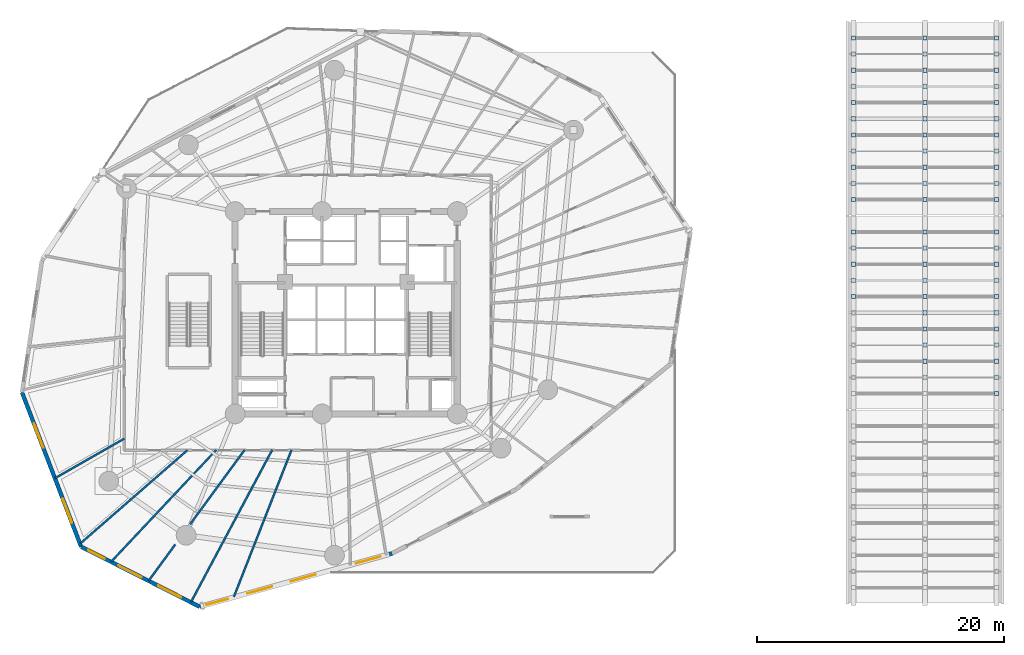
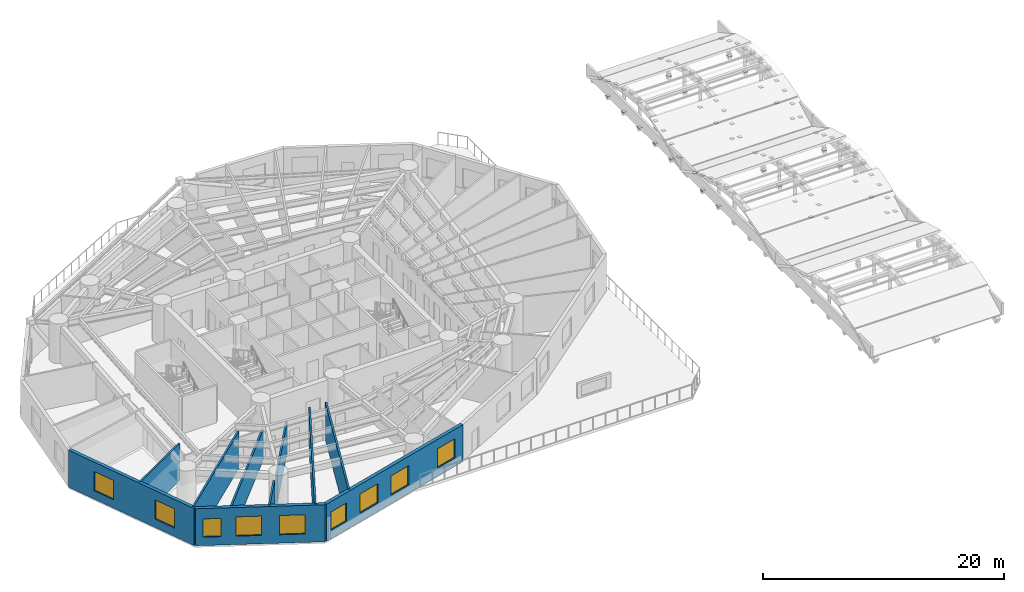
# One storey, part 6 of 16: 85 plates, 10 walls, 9 windows, 9 openings.
"""IFC4 building model written with IfcOpenShell, lengths in metres."""

from ifc_helpers import new_model, si_unit, direction, frame, frame_2d, origin, origin_with_axes, origin_2d, place, context, subcontext, project, spatial, rectangle, extrude, source, transform, mapped, material, layer, layer_set, type_object, element, fill, save


model = new_model("IFC4")

# Units and contexts
model_context = context("Model", 3, precision=1e-05, world=origin(), true_north=direction((0.0, 1.0)))
body_context = subcontext(model_context, "Body", "Model", "MODEL_VIEW")
ifc_project = project(units=[si_unit("LENGTHUNIT", "METRE"), si_unit("AREAUNIT", "SQUARE_METRE"), si_unit("VOLUMEUNIT", "CUBIC_METRE"), si_unit("PLANEANGLEUNIT", "RADIAN"), si_unit("MASSUNIT", "GRAM", prefix="KILO")], contexts=[model_context])

# Site, building, storey
site_placement = place(None, origin())
site = spatial("IfcSite", under=ifc_project, at=site_placement, CompositionType="ELEMENT")
building_placement = place(site_placement, origin())
building = spatial("IfcBuilding", under=site, at=building_placement, Name="Karkom Vertical University and Central Library", CompositionType="ELEMENT")
storey_placement = place(building_placement, frame((0.0, 0.0, 22.5)))
storey = spatial("IfcBuildingStorey", under=building, at=storey_placement, Name="L05", CompositionType="ELEMENT", Elevation=22.5)

# Plates
ifc_material_1 = material(Name="Steel S355", Category="steel")
ifc_layer_1 = layer(ifc_material_1, 0.02001953125)
ifc_layer_set_1 = layer_set([ifc_layer_1], Name="Steel S355")
plate_type = type_object("IfcPlateType", Name="STR-PLT-GP-3", PredefinedType="USERDEFINED", material=ifc_layer_set_1)
shared_shape_1 = source(origin_with_axes(), body_context, "Body", "SweptSolid", [
    extrude(rectangle(XDim=0.340087890625, YDim=0.340087890625, at=origin_2d()), origin(), (0.0, 0.0, 1.0), 0.02001953125),
])
for number, where, z_axis, x_axis, name in (
    (1, (81.199951171875, 19.949951171875, 0.29248046875), (0.0, 0.0, 1.0), (1.0, 0.0, 0.0), "Level 05 Node Gusset Cap Plate Level 05-LIB-VAULT2-PURLIN-1-2 B"),
    (2, (75.39990234375, 22.570068359375, 1.385009765625), (0.0, 0.0, 1.0), (1.0, 0.0, 0.0), "Level 05 Node Gusset Cap Plate Level 05-LIB-VAULT2-PURLIN-2-1 B"),
    (3, (81.199951171875, 22.570068359375, 1.385009765625), (0.0, 0.0, 1.0), (1.0, 0.0, 0.0), "Level 05 Node Gusset Cap Plate Level 05-LIB-VAULT2-PURLIN-2-2 B"),
    (4, (75.39990234375, 25.18994140625, 1.906005859375), (0.0, 0.0, 1.0), (1.0, 0.0, 0.0), "Level 05 Node Gusset Cap Plate Level 05-LIB-VAULT2-PURLIN-3-1 B"),
    (5, (81.199951171875, 25.18994140625, 1.906005859375), (0.0, 0.0, 1.0), (1.0, 0.0, 0.0), "Level 05 Node Gusset Cap Plate Level 05-LIB-VAULT2-PURLIN-3-2 B"),
    (6, (69.60009765625, 27.81005859375, 1.906005859375), (0.0, 0.0, 1.0), (1.0, 0.0, 0.0), "Level 05 Node Gusset Cap Plate Level 05-LIB-VAULT2-PURLIN-4-1 A"),
    (7, (75.39990234375, 27.81005859375, 1.906005859375), (0.0, 0.0, 1.0), (1.0, 0.0, 0.0), "Level 05 Node Gusset Cap Plate Level 05-LIB-VAULT2-PURLIN-4-1 B"),
    (8, (81.199951171875, 27.81005859375, 1.906005859375), (0.0, 0.0, 1.0), (1.0, 0.0, 0.0), "Level 05 Node Gusset Cap Plate Level 05-LIB-VAULT2-PURLIN-4-2 B"),
    (9, (69.60009765625, 30.429931640625, 1.385009765625), (0.0, 0.0, 1.0), (1.0, 0.0, 0.0), "Level 05 Node Gusset Cap Plate Level 05-LIB-VAULT2-PURLIN-5-1 A"),
    (10, (75.39990234375, 30.429931640625, 1.385009765625), (0.0, 0.0, 1.0), (1.0, 0.0, 0.0), "Level 05 Node Gusset Cap Plate Level 05-LIB-VAULT2-PURLIN-5-1 B"),
    (11, (81.199951171875, 30.429931640625, 1.385009765625), (0.0, 0.0, 1.0), (1.0, 0.0, 0.0), "Level 05 Node Gusset Cap Plate Level 05-LIB-VAULT2-PURLIN-5-2 B"),
    (12, (69.60009765625, 33.050048828125, 0.29248046875), (0.0, 0.0, 1.0), (1.0, 0.0, 0.0), "Level 05 Node Gusset Cap Plate Level 05-LIB-VAULT2-PURLIN-6-1 A"),
    (13, (75.39990234375, 33.050048828125, 0.29248046875), (0.0, 0.0, 1.0), (1.0, 0.0, 0.0), "Level 05 Node Gusset Cap Plate Level 05-LIB-VAULT2-PURLIN-6-1 B"),
    (14, (81.199951171875, 33.050048828125, 0.29248046875), (0.0, 0.0, 1.0), (1.0, 0.0, 0.0), "Level 05 Node Gusset Cap Plate Level 05-LIB-VAULT2-PURLIN-6-2 B"),
    (15, (69.60009765625, 29.1201171875, -0.659912109375), (0.0, 0.0, 1.0), (1.0, 0.0, 0.0), "Level 05 Node Gusset Cap Plate Level 05-LIB-VAULT2-POST-1-4 A"),
    (16, (69.60009765625, 29.1201171875, 1.594482421875), (0.0, 0.0, 1.0), (1.0, 0.0, 0.0), "Level 05 Node Gusset Cap Plate Level 05-LIB-VAULT2-POST-1-4 B"),
    (17, (69.60009765625, 31.739990234375, -0.659912109375), (0.0, 0.0, 1.0), (1.0, 0.0, 0.0), "Level 05 Node Gusset Cap Plate Level 05-LIB-VAULT2-POST-1-5 A"),
    (18, (69.60009765625, 31.739990234375, 0.843017578125), (0.0, 0.0, 1.0), (1.0, 0.0, 0.0), "Level 05 Node Gusset Cap Plate Level 05-LIB-VAULT2-POST-1-5 B"),
    (19, (75.39990234375, 21.260009765625, 0.843017578125), (0.0, 0.0, 1.0), (1.0, 0.0, 0.0), "Level 05 Node Gusset Cap Plate Level 05-LIB-VAULT2-POST-2-1 B"),
    (20, (75.39990234375, 23.8798828125, -0.659912109375), (0.0, 0.0, 1.0), (1.0, 0.0, 0.0), "Level 05 Node Gusset Cap Plate Level 05-LIB-VAULT2-POST-2-2 A"),
    (21, (75.39990234375, 23.8798828125, 1.594482421875), (0.0, 0.0, 1.0), (1.0, 0.0, 0.0), "Level 05 Node Gusset Cap Plate Level 05-LIB-VAULT2-POST-2-2 B"),
    (22, (75.39990234375, 26.5, -0.659912109375), (0.0, 0.0, 1.0), (1.0, 0.0, 0.0), "Level 05 Node Gusset Cap Plate Level 05-LIB-VAULT2-POST-2-3 A"),
    (23, (75.39990234375, 26.5, 1.869873046875), (0.0, 0.0, 1.0), (1.0, 0.0, 0.0), "Level 05 Node Gusset Cap Plate Level 05-LIB-VAULT2-POST-2-3 B"),
    (24, (75.39990234375, 29.1201171875, -0.659912109375), (0.0, 0.0, 1.0), (1.0, 0.0, 0.0), "Level 05 Node Gusset Cap Plate Level 05-LIB-VAULT2-POST-2-4 A"),
    (25, (75.39990234375, 29.1201171875, 1.594482421875), (0.0, 0.0, 1.0), (1.0, 0.0, 0.0), "Level 05 Node Gusset Cap Plate Level 05-LIB-VAULT2-POST-2-4 B"),
    (26, (75.39990234375, 31.739990234375, -0.659912109375), (0.0, 0.0, 1.0), (1.0, 0.0, 0.0), "Level 05 Node Gusset Cap Plate Level 05-LIB-VAULT2-POST-2-5 A"),
    (27, (75.39990234375, 31.739990234375, 0.843017578125), (0.0, 0.0, 1.0), (1.0, 0.0, 0.0), "Level 05 Node Gusset Cap Plate Level 05-LIB-VAULT2-POST-2-5 B"),
    (28, (81.199951171875, 21.260009765625, -0.659912109375), (0.0, 0.0, 1.0), (1.0, 0.0, 0.0), "Level 05 Node Gusset Cap Plate Level 05-LIB-VAULT2-POST-3-1 A"),
    (29, (81.199951171875, 21.260009765625, 0.843017578125), (0.0, 0.0, 1.0), (1.0, 0.0, 0.0), "Level 05 Node Gusset Cap Plate Level 05-LIB-VAULT2-POST-3-1 B"),
    (30, (81.199951171875, 23.8798828125, -0.659912109375), (0.0, 0.0, 1.0), (1.0, 0.0, 0.0), "Level 05 Node Gusset Cap Plate Level 05-LIB-VAULT2-POST-3-2 A"),
    (31, (81.199951171875, 23.8798828125, 1.594482421875), (0.0, 0.0, 1.0), (1.0, 0.0, 0.0), "Level 05 Node Gusset Cap Plate Level 05-LIB-VAULT2-POST-3-2 B"),
    (32, (81.199951171875, 26.5, -0.659912109375), (0.0, 0.0, 1.0), (1.0, 0.0, 0.0), "Level 05 Node Gusset Cap Plate Level 05-LIB-VAULT2-POST-3-3 A"),
    (33, (81.199951171875, 26.5, 1.869873046875), (0.0, 0.0, 1.0), (1.0, 0.0, 0.0), "Level 05 Node Gusset Cap Plate Level 05-LIB-VAULT2-POST-3-3 B"),
    (34, (81.199951171875, 29.1201171875, -0.659912109375), (0.0, 0.0, 1.0), (1.0, 0.0, 0.0), "Level 05 Node Gusset Cap Plate Level 05-LIB-VAULT2-POST-3-4 A"),
    (35, (81.199951171875, 29.1201171875, 1.594482421875), (0.0, 0.0, 1.0), (1.0, 0.0, 0.0), "Level 05 Node Gusset Cap Plate Level 05-LIB-VAULT2-POST-3-4 B"),
    (36, (81.199951171875, 31.739990234375, -0.659912109375), (0.0, 0.0, 1.0), (1.0, 0.0, 0.0), "Level 05 Node Gusset Cap Plate Level 05-LIB-VAULT2-POST-3-5 A"),
    (37, (81.199951171875, 31.739990234375, 0.843017578125), (0.0, 0.0, 1.0), (1.0, 0.0, 0.0), "Level 05 Node Gusset Cap Plate Level 05-LIB-VAULT2-POST-3-5 B"),
    (38, (69.60009765625, 35.669921875, 0.29248046875), (0.0, 0.0, 1.0), (1.0, 0.0, 0.0), "Level 05 Node Gusset Cap Plate Level 05-LIB-VAULT3-PURLIN-1-1 A"),
    (39, (75.39990234375, 35.669921875, 0.29248046875), (0.0, 0.0, 1.0), (1.0, 0.0, 0.0), "Level 05 Node Gusset Cap Plate Level 05-LIB-VAULT3-PURLIN-1-1 B"),
    (40, (81.199951171875, 35.669921875, 0.29248046875), (0.0, 0.0, 1.0), (1.0, 0.0, 0.0), "Level 05 Node Gusset Cap Plate Level 05-LIB-VAULT3-PURLIN-1-2 B"),
    (41, (69.60009765625, 38.2900390625, 1.385009765625), (0.0, 0.0, 1.0), (1.0, 0.0, 0.0), "Level 05 Node Gusset Cap Plate Level 05-LIB-VAULT3-PURLIN-2-1 A"),
    (42, (75.39990234375, 38.2900390625, 1.385009765625), (0.0, 0.0, 1.0), (1.0, 0.0, 0.0), "Level 05 Node Gusset Cap Plate Level 05-LIB-VAULT3-PURLIN-2-1 B"),
    (43, (81.199951171875, 38.2900390625, 1.385009765625), (0.0, 0.0, 1.0), (1.0, 0.0, 0.0), "Level 05 Node Gusset Cap Plate Level 05-LIB-VAULT3-PURLIN-2-2 B"),
    (44, (69.60009765625, 40.909912109375, 1.906005859375), (0.0, 0.0, 1.0), (1.0, 0.0, 0.0), "Level 05 Node Gusset Cap Plate Level 05-LIB-VAULT3-PURLIN-3-1 A"),
    (45, (75.39990234375, 40.909912109375, 1.906005859375), (0.0, 0.0, 1.0), (1.0, 0.0, 0.0), "Level 05 Node Gusset Cap Plate Level 05-LIB-VAULT3-PURLIN-3-1 B"),
    (46, (81.199951171875, 40.909912109375, 1.906005859375), (0.0, 0.0, 1.0), (1.0, 0.0, 0.0), "Level 05 Node Gusset Cap Plate Level 05-LIB-VAULT3-PURLIN-3-2 B"),
    (47, (69.60009765625, 43.530029296875, 1.906005859375), (0.0, 0.0, 1.0), (1.0, 0.0, 0.0), "Level 05 Node Gusset Cap Plate Level 05-LIB-VAULT3-PURLIN-4-1 A"),
    (48, (75.39990234375, 43.530029296875, 1.906005859375), (0.0, 0.0, 1.0), (1.0, 0.0, 0.0), "Level 05 Node Gusset Cap Plate Level 05-LIB-VAULT3-PURLIN-4-1 B"),
    (49, (81.199951171875, 43.530029296875, 1.906005859375), (0.0, 0.0, 1.0), (1.0, 0.0, 0.0), "Level 05 Node Gusset Cap Plate Level 05-LIB-VAULT3-PURLIN-4-2 B"),
    (50, (69.60009765625, 46.14990234375, 1.385009765625), (0.0, 0.0, 1.0), (1.0, 0.0, 0.0), "Level 05 Node Gusset Cap Plate Level 05-LIB-VAULT3-PURLIN-5-1 A"),
    (51, (75.39990234375, 46.14990234375, 1.385009765625), (0.0, 0.0, 1.0), (1.0, 0.0, 0.0), "Level 05 Node Gusset Cap Plate Level 05-LIB-VAULT3-PURLIN-5-1 B"),
    (52, (81.199951171875, 46.14990234375, 1.385009765625), (0.0, 0.0, 1.0), (1.0, 0.0, 0.0), "Level 05 Node Gusset Cap Plate Level 05-LIB-VAULT3-PURLIN-5-2 B"),
    (53, (69.60009765625, 48.77001953125, 0.29248046875), (0.0, 0.0, 1.0), (1.0, 0.0, 0.0), "Level 05 Node Gusset Cap Plate Level 05-LIB-VAULT3-PURLIN-6-1 A"),
    (54, (75.39990234375, 48.77001953125, 0.29248046875), (0.0, 0.0, 1.0), (1.0, 0.0, 0.0), "Level 05 Node Gusset Cap Plate Level 05-LIB-VAULT3-PURLIN-6-1 B"),
    (55, (81.199951171875, 48.77001953125, 0.29248046875), (0.0, 0.0, 1.0), (1.0, 0.0, 0.0), "Level 05 Node Gusset Cap Plate Level 05-LIB-VAULT3-PURLIN-6-2 B"),
    (56, (69.60009765625, 36.97998046875, -0.659912109375), (0.0, 0.0, 1.0), (1.0, 0.0, 0.0), "Level 05 Node Gusset Cap Plate Level 05-LIB-VAULT3-POST-1-1 A"),
    (57, (69.60009765625, 36.97998046875, 0.843017578125), (0.0, 0.0, 1.0), (1.0, 0.0, 0.0), "Level 05 Node Gusset Cap Plate Level 05-LIB-VAULT3-POST-1-1 B"),
    (58, (69.60009765625, 39.60009765625, -0.659912109375), (0.0, 0.0, 1.0), (1.0, 0.0, 0.0), "Level 05 Node Gusset Cap Plate Level 05-LIB-VAULT3-POST-1-2 A"),
    (59, (69.60009765625, 39.60009765625, 1.594482421875), (0.0, 0.0, 1.0), (1.0, 0.0, 0.0), "Level 05 Node Gusset Cap Plate Level 05-LIB-VAULT3-POST-1-2 B"),
    (60, (69.60009765625, 42.219970703125, -0.659912109375), (0.0, 0.0, 1.0), (1.0, 0.0, 0.0), "Level 05 Node Gusset Cap Plate Level 05-LIB-VAULT3-POST-1-3 A"),
    (61, (69.60009765625, 42.219970703125, 1.869873046875), (0.0, 0.0, 1.0), (1.0, 0.0, 0.0), "Level 05 Node Gusset Cap Plate Level 05-LIB-VAULT3-POST-1-3 B"),
    (62, (69.60009765625, 44.840087890625, -0.659912109375), (0.0, 0.0, 1.0), (1.0, 0.0, 0.0), "Level 05 Node Gusset Cap Plate Level 05-LIB-VAULT3-POST-1-4 A"),
    (63, (69.60009765625, 44.840087890625, 1.594482421875), (0.0, 0.0, 1.0), (1.0, 0.0, 0.0), "Level 05 Node Gusset Cap Plate Level 05-LIB-VAULT3-POST-1-4 B"),
    (64, (69.60009765625, 47.4599609375, -0.659912109375), (0.0, 0.0, 1.0), (1.0, 0.0, 0.0), "Level 05 Node Gusset Cap Plate Level 05-LIB-VAULT3-POST-1-5 A"),
    (65, (69.60009765625, 47.4599609375, 0.843017578125), (0.0, 0.0, 1.0), (1.0, 0.0, 0.0), "Level 05 Node Gusset Cap Plate Level 05-LIB-VAULT3-POST-1-5 B"),
    (66, (75.39990234375, 36.97998046875, -0.659912109375), (0.0, 0.0, 1.0), (1.0, 0.0, 0.0), "Level 05 Node Gusset Cap Plate Level 05-LIB-VAULT3-POST-2-1 A"),
    (67, (75.39990234375, 36.97998046875, 0.843017578125), (0.0, 0.0, 1.0), (1.0, 0.0, 0.0), "Level 05 Node Gusset Cap Plate Level 05-LIB-VAULT3-POST-2-1 B"),
    (68, (75.39990234375, 39.60009765625, -0.659912109375), (0.0, 0.0, 1.0), (1.0, 0.0, 0.0), "Level 05 Node Gusset Cap Plate Level 05-LIB-VAULT3-POST-2-2 A"),
    (69, (75.39990234375, 39.60009765625, 1.594482421875), (0.0, 0.0, 1.0), (1.0, 0.0, 0.0), "Level 05 Node Gusset Cap Plate Level 05-LIB-VAULT3-POST-2-2 B"),
    (70, (75.39990234375, 42.219970703125, -0.659912109375), (0.0, 0.0, 1.0), (1.0, 0.0, 0.0), "Level 05 Node Gusset Cap Plate Level 05-LIB-VAULT3-POST-2-3 A"),
    (71, (75.39990234375, 42.219970703125, 1.869873046875), (0.0, 0.0, 1.0), (1.0, 0.0, 0.0), "Level 05 Node Gusset Cap Plate Level 05-LIB-VAULT3-POST-2-3 B"),
    (72, (75.39990234375, 44.840087890625, -0.659912109375), (0.0, 0.0, 1.0), (1.0, 0.0, 0.0), "Level 05 Node Gusset Cap Plate Level 05-LIB-VAULT3-POST-2-4 A"),
    (73, (75.39990234375, 44.840087890625, 1.594482421875), (0.0, 0.0, 1.0), (1.0, 0.0, 0.0), "Level 05 Node Gusset Cap Plate Level 05-LIB-VAULT3-POST-2-4 B"),
    (74, (75.39990234375, 47.4599609375, -0.659912109375), (0.0, 0.0, 1.0), (1.0, 0.0, 0.0), "Level 05 Node Gusset Cap Plate Level 05-LIB-VAULT3-POST-2-5 A"),
    (75, (75.39990234375, 47.4599609375, 0.843017578125), (0.0, 0.0, 1.0), (1.0, 0.0, 0.0), "Level 05 Node Gusset Cap Plate Level 05-LIB-VAULT3-POST-2-5 B"),
    (76, (81.199951171875, 36.97998046875, -0.659912109375), (0.0, 0.0, 1.0), (1.0, 0.0, 0.0), "Level 05 Node Gusset Cap Plate Level 05-LIB-VAULT3-POST-3-1 A"),
    (77, (81.199951171875, 36.97998046875, 0.843017578125), (0.0, 0.0, 1.0), (1.0, 0.0, 0.0), "Level 05 Node Gusset Cap Plate Level 05-LIB-VAULT3-POST-3-1 B"),
    (78, (81.199951171875, 39.60009765625, -0.659912109375), (0.0, 0.0, 1.0), (1.0, 0.0, 0.0), "Level 05 Node Gusset Cap Plate Level 05-LIB-VAULT3-POST-3-2 A"),
    (79, (81.199951171875, 39.60009765625, 1.594482421875), (0.0, 0.0, 1.0), (1.0, 0.0, 0.0), "Level 05 Node Gusset Cap Plate Level 05-LIB-VAULT3-POST-3-2 B"),
    (80, (81.199951171875, 42.219970703125, -0.659912109375), (0.0, 0.0, 1.0), (1.0, 0.0, 0.0), "Level 05 Node Gusset Cap Plate Level 05-LIB-VAULT3-POST-3-3 A"),
    (81, (81.199951171875, 42.219970703125, 1.869873046875), (0.0, 0.0, 1.0), (1.0, 0.0, 0.0), "Level 05 Node Gusset Cap Plate Level 05-LIB-VAULT3-POST-3-3 B"),
    (82, (81.199951171875, 44.840087890625, -0.659912109375), (0.0, 0.0, 1.0), (1.0, 0.0, 0.0), "Level 05 Node Gusset Cap Plate Level 05-LIB-VAULT3-POST-3-4 A"),
    (83, (81.199951171875, 44.840087890625, 1.594482421875), (0.0, 0.0, 1.0), (1.0, 0.0, 0.0), "Level 05 Node Gusset Cap Plate Level 05-LIB-VAULT3-POST-3-4 B"),
    (84, (81.199951171875, 47.4599609375, -0.659912109375), (0.0, 0.0, 1.0), (1.0, 0.0, 0.0), "Level 05 Node Gusset Cap Plate Level 05-LIB-VAULT3-POST-3-5 A"),
    (85, (81.199951171875, 47.4599609375, 0.843017578125), (0.0, 0.0, 1.0), (1.0, 0.0, 0.0), "Level 05 Node Gusset Cap Plate Level 05-LIB-VAULT3-POST-3-5 B"),
):
    element("IfcPlate", number, at=place(storey_placement, frame(where, z_axis=z_axis, x_axis=x_axis)), inside=storey, type_object=plate_type, Name=name, ObjectType="GUSSET PLATE", PredefinedType="USERDEFINED", context=body_context, shape_type="MappedRepresentation", body=[
        mapped(shared_shape_1, transform((0.0, 0.0, 0.0), scale=1.0)),
    ])

# Wall, openings, windows
ifc_material_2 = material(Name="Brick-faced precast concrete C45/55", Category="masonry")
ifc_layer_2 = layer(ifc_material_2, 0.320068359375)
ifc_layer_set_2 = layer_set([ifc_layer_2], Name="Brick-faced precast concrete C45/55")
wall_type_1 = type_object("IfcWallType", Name="ENV-WL-BRK-320", PredefinedType="SOLIDWALL", material=ifc_layer_set_2)
wall_1_placement = place(storey_placement, frame((2.228515625, 20.0498046875, 0.0), z_axis=(0.0, 0.0, 1.0), x_axis=(0.357658091535, -0.933852605907, 0.0)))
wall_1 = element("IfcWall", 86, at=wall_1_placement, inside=storey, type_object=wall_type_1, Name="Level 05 Brick-Faced Precast Facade Wall 03", PredefinedType="SOLIDWALL", context=body_context, shape_type="SweptSolid", body=[
    extrude(rectangle(XDim=13.391357421875, YDim=0.320068359375, at=frame_2d((6.69580078125, 0.0))), origin(), (0.0, 0.0, 1.0), 3.75),
])
opening_1_placement = place(wall_1_placement, frame((2.70361328125, 0.0, 0.85009765625)))
opening_1 = element("IfcOpeningElement", 87, at=opening_1_placement, cuts=wall_1, Name="Opening WN-03", PredefinedType="OPENING", context=body_context, shape_type="SweptSolid", body=[
    extrude(rectangle(XDim=2.10009765625, YDim=1.949951171875, at=frame_2d((1.050048828125, 0.97509765625))), frame((0.0, 0.169921875, 0.0), z_axis=(0.0, -1.0, 0.0), x_axis=(1.0, 0.0, 0.0)), (0.0, 0.0, 1.0), 0.340087890625),
])
opening_2_placement = place(wall_1_placement, frame((9.232666015625, 0.0, 0.85009765625)))
opening_2 = element("IfcOpeningElement", 88, at=opening_2_placement, cuts=wall_1, Name="Opening WN-03", PredefinedType="OPENING", context=body_context, shape_type="SweptSolid", body=[
    extrude(rectangle(XDim=2.10009765625, YDim=1.949951171875, at=frame_2d((1.050048828125, 0.97509765625))), frame((0.0, 0.169921875, 0.0), z_axis=(0.0, -1.0, 0.0), x_axis=(1.0, 0.0, 0.0)), (0.0, 0.0, 1.0), 0.340087890625),
])
ifc_material_3 = material(Name="Aluminium thermal-break frame with solar-control IGU", Category="aluminium")
window_type_1 = type_object("IfcWindowType", Name="ENV-WIN-WN-03", PartitioningType="SINGLE_PANEL", PredefinedType="WINDOW", material=ifc_material_3)
shared_shape_2 = source(origin_with_axes(), body_context, "Body", "SweptSolid", [
    extrude(rectangle(XDim=2.10009765625, YDim=1.949951171875, at=frame_2d((1.050048828125, 0.97509765625))), frame((0.0, 0.030029296875, 0.0), z_axis=(0.0, -1.0, 0.0), x_axis=(1.0, 0.0, 0.0)), (0.0, 0.0, 1.0), 0.06005859375),
])
window_1_placement = place(opening_1_placement, origin())
window_1 = element("IfcWindow", 89, at=window_1_placement, inside=storey, type_object=window_type_1, Name="Level 05 Punched Window 3.1", OverallHeight=1.949951171875, OverallWidth=2.10009765625, PartitioningType="SINGLE_PANEL", PredefinedType="WINDOW", context=body_context, shape_type="MappedRepresentation", body=[
    mapped(shared_shape_2, transform((0.0, 0.0, 0.0), scale=1.0)),
])
fill(opening_1, window_1)
window_2_placement = place(opening_2_placement, origin())
window_2 = element("IfcWindow", 90, at=window_2_placement, inside=storey, type_object=window_type_1, Name="Level 05 Punched Window 3.2", OverallHeight=1.949951171875, OverallWidth=2.10009765625, PartitioningType="SINGLE_PANEL", PredefinedType="WINDOW", context=body_context, shape_type="MappedRepresentation", body=[
    mapped(shared_shape_2, transform((0.0, 0.0, 0.0), scale=1.0)),
])
fill(opening_2, window_2)

wall_2_placement = place(storey_placement, frame((7.01806640625, 7.544189453125, 0.0), z_axis=(0.0, 0.0, 1.0), x_axis=(0.891960439123, -0.452113453726, 0.0)))
wall_2 = element("IfcWall", 91, at=wall_2_placement, inside=storey, type_object=wall_type_1, Name="Level 05 Brick-Faced Precast Facade Wall 04", PredefinedType="SOLIDWALL", context=body_context, shape_type="SweptSolid", body=[
    extrude(rectangle(XDim=10.767578125, YDim=0.320068359375, at=frame_2d((5.3837890625, 0.0))), origin(), (0.0, 0.0, 1.0), 3.75),
])
opening_3_placement = place(wall_2_placement, frame((0.6494140625, 0.0, 0.85009765625)))
opening_3 = element("IfcOpeningElement", 92, at=opening_3_placement, cuts=wall_2, Name="Opening WN-05", PredefinedType="OPENING", context=body_context, shape_type="SweptSolid", body=[
    extrude(rectangle(XDim=1.5, YDim=1.85009765625, at=frame_2d((0.75, 0.925048828125))), frame((0.0, 0.169921875, 0.0), z_axis=(0.0, -1.0, 0.0), x_axis=(1.0, 0.0, 0.0)), (0.0, 0.0, 1.0), 0.340087890625),
])
opening_4_placement = place(wall_2_placement, frame((3.389404296875, 0.0, 0.85009765625)))
opening_4 = element("IfcOpeningElement", 93, at=opening_4_placement, cuts=wall_2, Name="Opening WN-03", PredefinedType="OPENING", context=body_context, shape_type="SweptSolid", body=[
    extrude(rectangle(XDim=2.10009765625, YDim=1.949951171875, at=frame_2d((1.050048828125, 0.97509765625))), frame((0.0, 0.169921875, 0.0), z_axis=(0.0, -1.0, 0.0), x_axis=(1.0, 0.0, 0.0)), (0.0, 0.0, 1.0), 0.340087890625),
])
opening_5_placement = place(wall_2_placement, frame((7.0078125, 0.0, 0.85009765625)))
opening_5 = element("IfcOpeningElement", 94, at=opening_5_placement, cuts=wall_2, Name="Opening WN-03", PredefinedType="OPENING", context=body_context, shape_type="SweptSolid", body=[
    extrude(rectangle(XDim=2.10009765625, YDim=1.949951171875, at=frame_2d((1.050048828125, 0.97509765625))), frame((0.0, 0.169921875, 0.0), z_axis=(0.0, -1.0, 0.0), x_axis=(1.0, 0.0, 0.0)), (0.0, 0.0, 1.0), 0.340087890625),
])
window_3_placement = place(opening_4_placement, origin())
window_3 = element("IfcWindow", 95, at=window_3_placement, inside=storey, type_object=window_type_1, Name="Level 05 Punched Window 4.2", OverallHeight=1.949951171875, OverallWidth=2.10009765625, PartitioningType="SINGLE_PANEL", PredefinedType="WINDOW", context=body_context, shape_type="MappedRepresentation", body=[
    mapped(shared_shape_2, transform((0.0, 0.0, 0.0), scale=1.0)),
])
fill(opening_4, window_3)
window_4_placement = place(opening_5_placement, origin())
window_4 = element("IfcWindow", 96, at=window_4_placement, inside=storey, type_object=window_type_1, Name="Level 05 Punched Window 4.3", OverallHeight=1.949951171875, OverallWidth=2.10009765625, PartitioningType="SINGLE_PANEL", PredefinedType="WINDOW", context=body_context, shape_type="MappedRepresentation", body=[
    mapped(shared_shape_2, transform((0.0, 0.0, 0.0), scale=1.0)),
])
fill(opening_5, window_4)
window_type_2 = type_object("IfcWindowType", Name="ENV-WIN-WN-05", PartitioningType="SINGLE_PANEL", PredefinedType="WINDOW", material=ifc_material_3)
shared_shape_3 = source(origin_with_axes(), body_context, "Body", "SweptSolid", [
    extrude(rectangle(XDim=1.5, YDim=1.85009765625, at=frame_2d((0.75, 0.925048828125))), frame((0.0, 0.030029296875, 0.0), z_axis=(0.0, -1.0, 0.0), x_axis=(1.0, 0.0, 0.0)), (0.0, 0.0, 1.0), 0.06005859375),
])
window_5_placement = place(opening_3_placement, origin())
window_5 = element("IfcWindow", 97, at=window_5_placement, inside=storey, type_object=window_type_2, Name="Level 05 Punched Window 4.1", OverallHeight=1.85009765625, OverallWidth=1.5, PartitioningType="SINGLE_PANEL", PredefinedType="WINDOW", context=body_context, shape_type="MappedRepresentation", body=[
    mapped(shared_shape_3, transform((0.0, 0.0, 0.0), scale=1.0)),
])
fill(opening_3, window_5)

wall_3_placement = place(storey_placement, frame((16.622314453125, 2.676025390625, 0.0), z_axis=(0.0, 0.0, 1.0), x_axis=(0.963606446226, 0.267324927367, 0.0)))
wall_3 = element("IfcWall", 98, at=wall_3_placement, inside=storey, type_object=wall_type_1, Name="Level 05 Brick-Faced Precast Facade Wall 05", PredefinedType="SOLIDWALL", context=body_context, shape_type="SweptSolid", body=[
    extrude(rectangle(XDim=16.187744140625, YDim=0.320068359375, at=frame_2d((8.09375, 0.0))), origin(), (0.0, 0.0, 1.0), 3.75),
])
opening_6_placement = place(wall_3_placement, frame((0.5869140625, 0.0, 0.85009765625)))
opening_6 = element("IfcOpeningElement", 99, at=opening_6_placement, cuts=wall_3, Name="Opening WN-04", PredefinedType="OPENING", context=body_context, shape_type="SweptSolid", body=[
    extrude(rectangle(XDim=1.800048828125, YDim=1.85009765625, at=frame_2d((0.89990234375, 0.925048828125))), frame((0.0, 0.169921875, 0.0), z_axis=(0.0, -1.0, 0.0), x_axis=(1.0, 0.0, 0.0)), (0.0, 0.0, 1.0), 0.340087890625),
])
opening_7_placement = place(wall_3_placement, frame((4.01220703125, 0.0, 0.85009765625)))
opening_7 = element("IfcOpeningElement", 100, at=opening_7_placement, cuts=wall_3, Name="Opening WN-03", PredefinedType="OPENING", context=body_context, shape_type="SweptSolid", body=[
    extrude(rectangle(XDim=2.10009765625, YDim=1.949951171875, at=frame_2d((1.050048828125, 0.97509765625))), frame((0.0, 0.169921875, 0.0), z_axis=(0.0, -1.0, 0.0), x_axis=(1.0, 0.0, 0.0)), (0.0, 0.0, 1.0), 0.340087890625),
])
opening_8_placement = place(wall_3_placement, frame((7.668212890625, 0.0, 0.85009765625)))
opening_8 = element("IfcOpeningElement", 101, at=opening_8_placement, cuts=wall_3, Name="Opening WN-03", PredefinedType="OPENING", context=body_context, shape_type="SweptSolid", body=[
    extrude(rectangle(XDim=2.10009765625, YDim=1.949951171875, at=frame_2d((1.050048828125, 0.97509765625))), frame((0.0, 0.169921875, 0.0), z_axis=(0.0, -1.0, 0.0), x_axis=(1.0, 0.0, 0.0)), (0.0, 0.0, 1.0), 0.340087890625),
])
opening_9_placement = place(wall_3_placement, frame((13.1376953125, 0.0, 0.85009765625)))
opening_9 = element("IfcOpeningElement", 102, at=opening_9_placement, cuts=wall_3, Name="Opening WN-03", PredefinedType="OPENING", context=body_context, shape_type="SweptSolid", body=[
    extrude(rectangle(XDim=2.10009765625, YDim=1.949951171875, at=frame_2d((1.050048828125, 0.97509765625))), frame((0.0, 0.169921875, 0.0), z_axis=(0.0, -1.0, 0.0), x_axis=(1.0, 0.0, 0.0)), (0.0, 0.0, 1.0), 0.340087890625),
])
window_6_placement = place(opening_7_placement, origin())
window_6 = element("IfcWindow", 103, at=window_6_placement, inside=storey, type_object=window_type_1, Name="Level 05 Punched Window 5.2", OverallHeight=1.949951171875, OverallWidth=2.10009765625, PartitioningType="SINGLE_PANEL", PredefinedType="WINDOW", context=body_context, shape_type="MappedRepresentation", body=[
    mapped(shared_shape_2, transform((0.0, 0.0, 0.0), scale=1.0)),
])
fill(opening_7, window_6)
window_7_placement = place(opening_8_placement, origin())
window_7 = element("IfcWindow", 104, at=window_7_placement, inside=storey, type_object=window_type_1, Name="Level 05 Punched Window 5.3", OverallHeight=1.949951171875, OverallWidth=2.10009765625, PartitioningType="SINGLE_PANEL", PredefinedType="WINDOW", context=body_context, shape_type="MappedRepresentation", body=[
    mapped(shared_shape_2, transform((0.0, 0.0, 0.0), scale=1.0)),
])
fill(opening_8, window_7)
window_8_placement = place(opening_9_placement, origin())
window_8 = element("IfcWindow", 105, at=window_8_placement, inside=storey, type_object=window_type_1, Name="Level 05 Punched Window 5.4", OverallHeight=1.949951171875, OverallWidth=2.10009765625, PartitioningType="SINGLE_PANEL", PredefinedType="WINDOW", context=body_context, shape_type="MappedRepresentation", body=[
    mapped(shared_shape_2, transform((0.0, 0.0, 0.0), scale=1.0)),
])
fill(opening_9, window_8)
window_type_3 = type_object("IfcWindowType", Name="ENV-WIN-WN-04", PartitioningType="SINGLE_PANEL", PredefinedType="WINDOW", material=ifc_material_3)
shared_shape_4 = source(origin_with_axes(), body_context, "Body", "SweptSolid", [
    extrude(rectangle(XDim=1.800048828125, YDim=1.85009765625, at=frame_2d((0.89990234375, 0.925048828125))), frame((0.0, 0.030029296875, 0.0), z_axis=(0.0, -1.0, 0.0), x_axis=(1.0, 0.0, 0.0)), (0.0, 0.0, 1.0), 0.06005859375),
])
window_9_placement = place(opening_6_placement, origin())
window_9 = element("IfcWindow", 106, at=window_9_placement, inside=storey, type_object=window_type_3, Name="Level 05 Punched Window 5.1", OverallHeight=1.85009765625, OverallWidth=1.800048828125, PartitioningType="SINGLE_PANEL", PredefinedType="WINDOW", context=body_context, shape_type="MappedRepresentation", body=[
    mapped(shared_shape_4, transform((0.0, 0.0, 0.0), scale=1.0)),
])
fill(opening_6, window_9)

# Walls
ifc_material_4 = material(Name="Insulated metal-stud drywall 160mm", Category="gypsum")
ifc_layer_3 = layer(ifc_material_4, 0.159912109375)
ifc_layer_set_3 = layer_set([ifc_layer_3], Name="Insulated metal-stud drywall 160mm")
wall_type_2 = type_object("IfcWallType", Name="INT-WL-COR-160", PredefinedType="PARTITIONING", material=ifc_layer_set_3)
wall_4_placement = place(storey_placement, frame((22.50537109375, 15.3896484375, 0.0), z_axis=(0.0, 0.0, 1.0), x_axis=(-0.470665290854, -0.882311840556, 0.0)))
element("IfcWall", 107, at=wall_4_placement, inside=storey, type_object=wall_type_2, Name="Level 05 Interior Partition Wall Level 05-PW-008", PredefinedType="PARTITIONING", context=body_context, shape_type="SweptSolid", body=[
    extrude(rectangle(XDim=13.977783203125, YDim=0.159912109375, at=frame_2d((6.98876953125, 0.0))), origin(), (0.0, 0.0, 1.0), 3.75),
])
wall_5_placement = place(storey_placement, frame((24.06884765625, 15.3779296875, 0.0), z_axis=(0.0, 0.0, 1.0), x_axis=(-0.36545902656, -0.930827427564, 0.0)))
element("IfcWall", 108, at=wall_5_placement, inside=storey, type_object=wall_type_2, Name="Level 05 Interior Partition Wall Level 05-PW-009", PredefinedType="PARTITIONING", context=body_context, shape_type="SweptSolid", body=[
    extrude(rectangle(XDim=12.775634765625, YDim=0.159912109375, at=frame_2d((6.3876953125, 0.0))), origin(), (0.0, 0.0, 1.0), 3.75),
])
wall_6_placement = place(storey_placement, frame((17.96875, 15.3828125, 0.0), z_axis=(0.0, 0.0, 1.0), x_axis=(-0.684864078092, -0.728670841011, 0.0)))
element("IfcWall", 109, at=wall_6_placement, inside=storey, type_object=wall_type_2, Name="Level 05 Interior Partition Wall Level 05-PW-005", PredefinedType="PARTITIONING", context=body_context, shape_type="SweptSolid", body=[
    extrude(rectangle(XDim=12.4169921875, YDim=0.159912109375, at=frame_2d((6.20849609375, 0.0))), origin(), (0.0, 0.0, 1.0), 3.10009765625),
])
wall_7_placement = place(storey_placement, frame((15.638671875, 15.36962890625, 0.0), z_axis=(0.0, 0.0, 1.0), x_axis=(-0.753858830781, -0.657036424602, 0.0)))
element("IfcWall", 110, at=wall_7_placement, inside=storey, type_object=wall_type_2, Name="Level 05 Interior Partition Wall Level 05-PW-004", PredefinedType="PARTITIONING", context=body_context, shape_type="SweptSolid", body=[
    extrude(rectangle(XDim=11.5234375, YDim=0.159912109375, at=frame_2d((5.76171875, 0.0))), origin(), (0.0, 0.0, 1.0), 3.75),
])
wall_8_placement = place(storey_placement, frame((20.272216796875, 15.38623046875, 0.0), z_axis=(0.0, 0.0, 1.0), x_axis=(-0.591510737787, -0.806297120845, 0.0)))
element("IfcWall", 111, at=wall_8_placement, inside=storey, type_object=wall_type_2, Name="Level 05 Interior Partition Wall Level 05-PW-006", PredefinedType="PARTITIONING", context=body_context, shape_type="SweptSolid", body=[
    extrude(rectangle(XDim=7.48388671875, YDim=0.159912109375, at=frame_2d((3.741943359375, 0.0))), origin(), (0.0, 0.0, 1.0), 3.10009765625),
])
wall_9_placement = place(storey_placement, frame((10.526123046875, 16.302490234375, 0.0), z_axis=(0.0, 0.0, 1.0), x_axis=(-0.86834547933, -0.495959805355, 0.0)))
element("IfcWall", 112, at=wall_9_placement, inside=storey, type_object=wall_type_2, Name="Level 05 Interior Partition Wall Level 05-PW-003", PredefinedType="PARTITIONING", context=body_context, shape_type="SweptSolid", body=[
    extrude(rectangle(XDim=6.45849609375, YDim=0.159912109375, at=frame_2d((3.229248046875, 0.0))), origin(), (0.0, 0.0, 1.0), 3.75),
])
wall_10_placement = place(storey_placement, frame((14.64892578125, 7.72119140625, 0.0), z_axis=(0.0, 0.0, 1.0), x_axis=(-0.59150942177, -0.806298086292, 0.0)))
element("IfcWall", 113, at=wall_10_placement, inside=storey, type_object=wall_type_2, Name="Level 05 Interior Partition Wall Level 05-PW-007", PredefinedType="PARTITIONING", context=body_context, shape_type="SweptSolid", body=[
    extrude(rectangle(XDim=3.63037109375, YDim=0.159912109375, at=frame_2d((1.815185546875, 0.0))), origin(), (0.0, 0.0, 1.0), 3.75),
])

save(model, "model.ifc")
